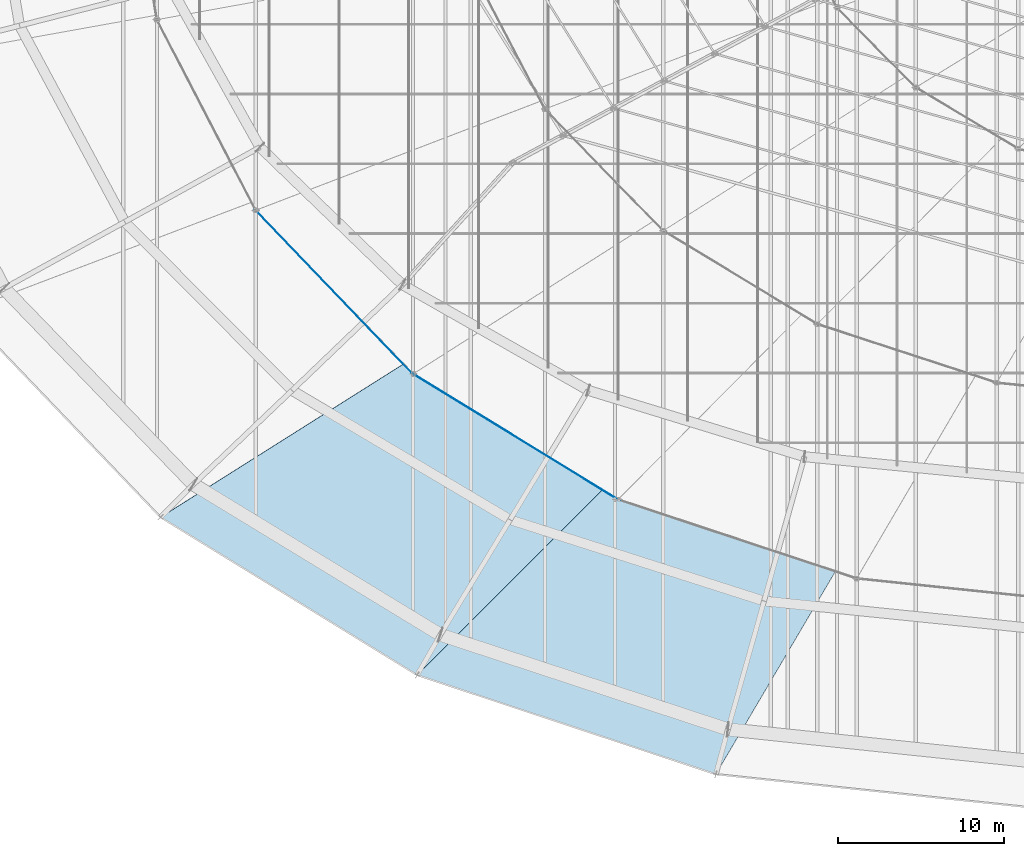
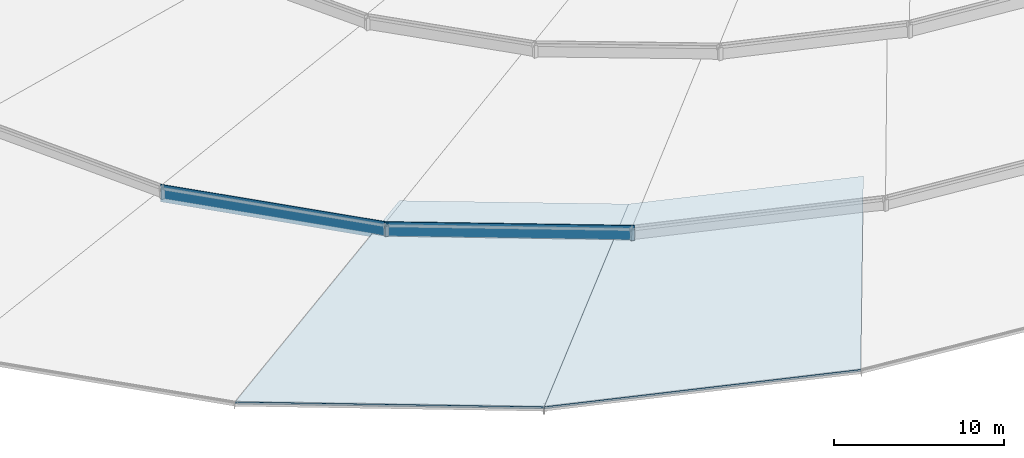
# One storey, part 136 of 184: 2 plates, 2 slabs.
"""IFC4 building model written with IfcOpenShell, lengths in metres."""

from ifc_helpers import new_model, si_unit, direction, frame, origin, origin_2d, place, context, subcontext, project, spatial, polyline, rectangle, outline, extrude, material, layer, layer_set, type_object, element, save


model = new_model("IFC4")

# Units and contexts
model_context = context("Model", 3, precision=1e-05, world=origin(), true_north=direction((0.0, 1.0)))
body_context = subcontext(model_context, "Body", "Model", "MODEL_VIEW")
ifc_project = project(units=[si_unit("LENGTHUNIT", "METRE"), si_unit("AREAUNIT", "SQUARE_METRE"), si_unit("VOLUMEUNIT", "CUBIC_METRE"), si_unit("PLANEANGLEUNIT", "RADIAN"), si_unit("MASSUNIT", "GRAM", prefix="KILO")], contexts=[model_context])

# Site, building, storey
site_placement = place(None, origin())
site = spatial("IfcSite", under=ifc_project, at=site_placement, CompositionType="ELEMENT")
building_placement = place(site_placement, origin())
building = spatial("IfcBuilding", under=site, at=building_placement, Name="Kalgoora Escarpment Arena", CompositionType="ELEMENT")
storey_placement = place(building_placement, frame((0.0, 0.0, 27.60009765625)))
storey = spatial("IfcBuildingStorey", under=building, at=storey_placement, Name="Roof Level", CompositionType="ELEMENT", Elevation=27.60009765625)

# Plates
ifc_material_1 = material(Name="Low-E double-glazed petal clerestory glass", Category="glass")
ifc_layer_1 = layer(ifc_material_1, 0.035888671875)
ifc_layer_set_1 = layer_set([ifc_layer_1], Name="PLT-PETAL-CLERESTORY")
plate_type = type_object("IfcPlateType", Name="PLT-PETAL-CLERESTORY", PredefinedType="USERDEFINED", material=ifc_layer_set_1)
plate_1_placement = place(storey_placement, frame((50.12060546875, 35.27099609375, 0.260009765625), z_axis=(0.0, 0.0, 1.0), x_axis=(0.692772764861, -0.721155944485, 0.0)))
element("IfcPlate", 1, at=plate_1_placement, inside=storey, type_object=plate_type, Name="Petal RP2 glazed clerestory collar panel S15", ObjectType="CLERESTORY PANEL", PredefinedType="USERDEFINED", context=body_context, shape_type="SweptSolid", body=[
    extrude(rectangle(XDim=13.8759765625, YDim=0.0400390625, at=origin_2d()), origin(), (0.0, 0.0, 1.0), 1.25),
])
plate_2_placement = place(storey_placement, frame((61.0283203125, 26.559326171875, 0.260009765625), z_axis=(0.0, 0.0, 1.0), x_axis=(0.852640164354, -0.522498564716, 0.0)))
element("IfcPlate", 2, at=plate_2_placement, inside=storey, type_object=plate_type, Name="Petal RP2 glazed clerestory collar panel S16", ObjectType="CLERESTORY PANEL", PredefinedType="USERDEFINED", context=body_context, shape_type="SweptSolid", body=[
    extrude(rectangle(XDim=14.694091796875, YDim=0.0400390625, at=origin_2d()), origin(), (0.0, 0.0, 1.0), 1.25),
])

# Slabs
ifc_material_2 = material(Name="White acoustic composite Concrete N40 (fc' 40 MPa)", Category="concrete")
ifc_layer_2 = layer(ifc_material_2, 0.179931640625)
ifc_layer_set_2 = layer_set([ifc_layer_2], Name="SLB-PETAL-RP1")
slab_type = type_object("IfcSlabType", Name="SLB-PETAL-RP1", PredefinedType="ROOF", material=ifc_layer_set_2)
slab_1_placement = place(storey_placement, frame((39.64990234375, 21.715087890625, -0.840087890625), z_axis=(-0.04500803392, -0.073172636259, 0.996303187883), x_axis=(0.851766454069, -0.523921661818, -3.972e-07)))
element("IfcSlab", 3, at=slab_1_placement, inside=storey, type_object=slab_type, Name="Shifted white roof petal RP1 sector 16", PredefinedType="ROOF", context=body_context, shape_type="SweptSolid", body=[
    extrude(outline(polyline([(0.0, 0.0), (18.139004611144045, 0.0), (22.56819031953475, 18.654521520048146), (9.115012055353526, 18.62595616689921), (0.0, 0.0)])), origin(), (0.0, 0.0, -1.0), 0.179931640625),
])
slab_2_placement = place(storey_placement, frame((55.10009765625, 12.211669921875, -0.840087890625), z_axis=(-0.029389289795, -0.088525502435, 0.995640248817), x_axis=(0.94904982626, -0.315126049784, -4.812495e-06)))
element("IfcSlab", 4, at=slab_2_placement, inside=storey, type_object=slab_type, Name="Shifted white roof petal RP1 sector 17", PredefinedType="ROOF", context=body_context, shape_type="SweptSolid", body=[
    extrude(outline(polyline([(0.0, 0.0), (18.957851900501545, 8.881784197001252e-16), (22.636322527350114, 17.173849233810817), (8.564308710389657, 17.15382337990133), (0.0, 0.0)])), origin(), (0.0, 0.0, -1.0), 0.179931640625),
])

save(model, "model.ifc")
